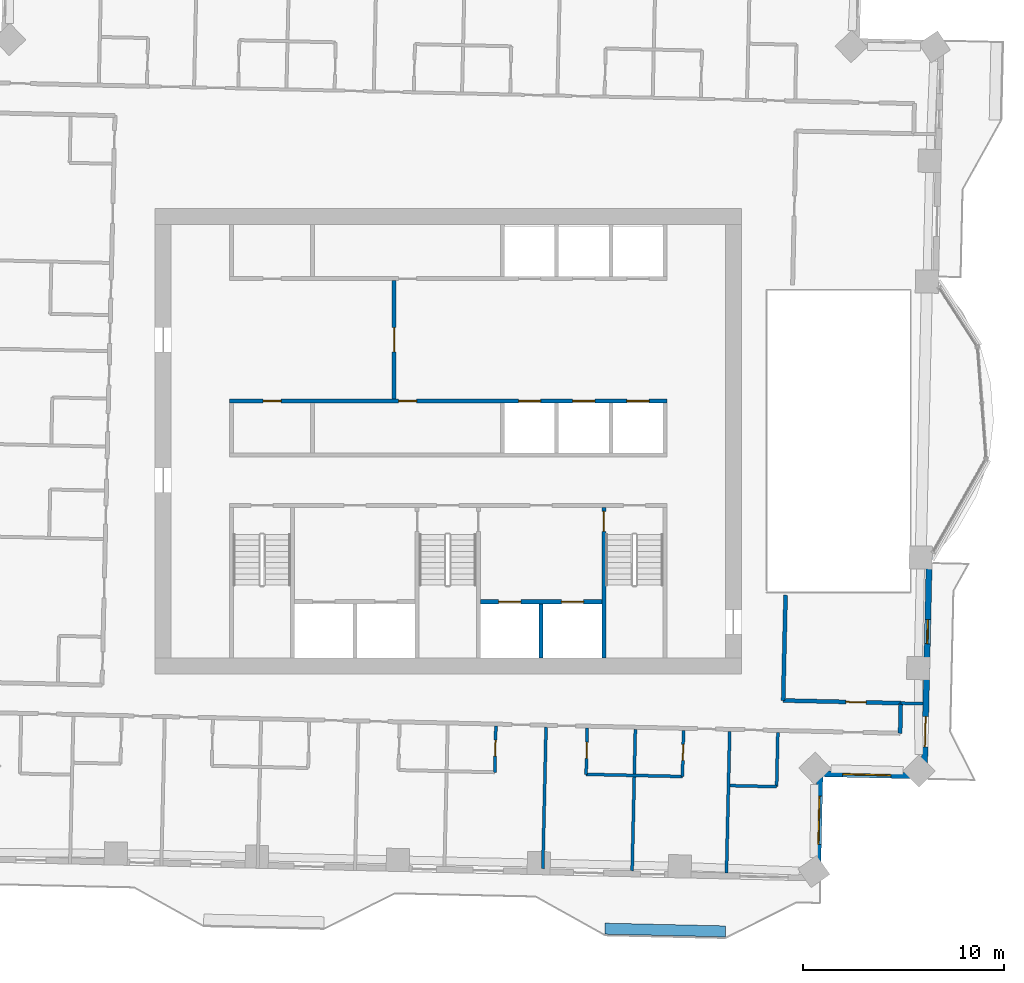
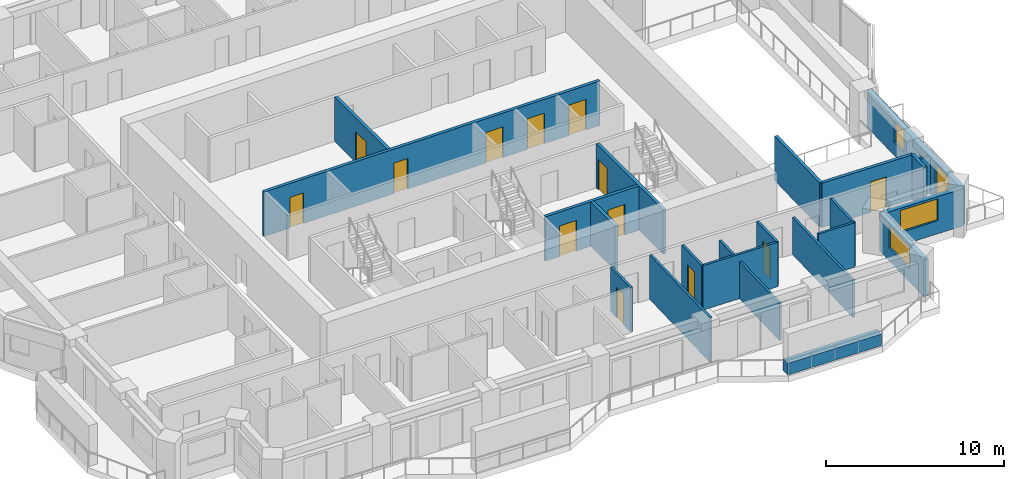
# One storey, part 9 of 16: 22 walls, 14 doors, 3 windows, 17 openings.
"""IFC4 building model written with IfcOpenShell, lengths in metres."""

from ifc_helpers import new_model, si_unit, direction, frame, frame_2d, origin, place, context, subcontext, project, spatial, rectangle, extrude, material, layer, layer_set, type_object, element, fill, save


model = new_model("IFC4")

# Units and contexts
model_context = context("Model", 3, precision=1e-05, world=origin(), true_north=direction((0.0, 1.0)))
body_context = subcontext(model_context, "Body", "Model", "MODEL_VIEW")
ifc_project = project(units=[si_unit("LENGTHUNIT", "METRE"), si_unit("AREAUNIT", "SQUARE_METRE"), si_unit("VOLUMEUNIT", "CUBIC_METRE"), si_unit("PLANEANGLEUNIT", "RADIAN"), si_unit("MASSUNIT", "GRAM", prefix="KILO")], contexts=[model_context])

# Site, building, storey
site_placement = place(None, origin())
site = spatial("IfcSite", under=ifc_project, at=site_placement, CompositionType="ELEMENT")
building_placement = place(site_placement, origin())
building = spatial("IfcBuilding", under=site, at=building_placement, Name="Mangrove Gate Tower", CompositionType="ELEMENT")
storey_placement = place(building_placement, frame((0.0, 0.0, 197.89990234375)))
storey = spatial("IfcBuildingStorey", under=building, at=storey_placement, Name="L50", CompositionType="ELEMENT", Elevation=197.89990234375)

# Wall, opening, door
ifc_material_1 = material(Name="Concrete C32/40", Category="concrete")
ifc_layer_1 = layer(ifc_material_1, 0.199951171875)
ifc_layer_set_1 = layer_set([ifc_layer_1], Name="Core lobby wall 200 C32/40")
wall_type_1 = type_object("IfcWallType", Name="Core lobby wall 200 C32/40", PredefinedType="STANDARD", material=ifc_layer_set_1)
wall_1_placement = place(storey_placement, frame((-2.699951171875, 2.10009765625, 0.0), z_axis=(0.0, 0.0, 1.0), x_axis=(0.0, 1.0, 0.0)))
wall_1 = element("IfcWall", 1, at=wall_1_placement, inside=storey, type_object=wall_type_1, Name="WALL-L50-CORE-31", PredefinedType="STANDARD", context=body_context, shape_type="SweptSolid", body=[
    extrude(rectangle(XDim=5.89990234375, YDim=0.199951171875, at=frame_2d((2.949951171875, 0.0))), origin(), (0.0, 0.0, 1.0), 3.050048828125),
])
opening_1_placement = place(wall_1_placement, frame((2.35009765625, 0.0, 0.0)))
opening_1 = element("IfcOpeningElement", 2, at=opening_1_placement, cuts=wall_1, Name="Opening FL12", PredefinedType="OPENING", context=body_context, shape_type="SweptSolid", body=[
    extrude(rectangle(XDim=1.199951171875, YDim=2.10009765625, at=frame_2d((0.60009765625, 1.050048828125))), frame((0.0, 0.10986328125, 0.0), z_axis=(0.0, -1.0, 0.0), x_axis=(1.0, 0.0, 0.0)), (0.0, 0.0, 1.0), 0.219970703125),
])
ifc_material_2 = material(Name="Fire-rated steel door set", Category="steel")
door_type_1 = type_object("IfcDoorType", Name="Lobby door FD60 1200x2100", OperationType="SINGLE_SWING_LEFT", PredefinedType="DOOR", material=ifc_material_2)
door_1_placement = place(opening_1_placement, origin())
door_1 = element("IfcDoor", 3, at=door_1_placement, inside=storey, type_object=door_type_1, Name="Lobby door lift lobby partition", OperationType="SINGLE_SWING_LEFT", OverallHeight=2.10009765625, OverallWidth=1.199951171875, PredefinedType="DOOR", context=body_context, shape_type="SweptSolid", body=[
    extrude(rectangle(XDim=1.199951171875, YDim=2.10009765625, at=frame_2d((0.60009765625, 1.050048828125))), frame((0.0, 0.02490234375, 0.0), z_axis=(0.0, -1.0, 0.0), x_axis=(1.0, 0.0, 0.0)), (0.0, 0.0, 1.0), 0.050048828125),
])
fill(opening_1, door_1)

# Wall, openings, doors
ifc_material_3 = material(Name="Concrete C60/75", Category="concrete")
ifc_layer_2 = layer(ifc_material_3, 0.199951171875)
ifc_layer_set_2 = layer_set([ifc_layer_2], Name="Core shaft wall 200 C60/75")
wall_type_2 = type_object("IfcWallType", Name="Core shaft wall 200 C60/75", PredefinedType="SHEAR", material=ifc_layer_set_2)
wall_2_placement = place(storey_placement, frame((-10.89990234375, 2.0, 0.0), z_axis=(0.0, 0.0, 1.0), x_axis=(1.0, 0.0, 0.0)))
wall_2 = element("IfcWall", 4, at=wall_2_placement, inside=storey, type_object=wall_type_2, Name="WALL-L50-CORE-7", PredefinedType="SHEAR", context=body_context, shape_type="SweptSolid", body=[
    extrude(rectangle(XDim=21.7998046875, YDim=0.199951171875, at=frame_2d((10.89990234375, 0.0))), origin(), (0.0, 0.0, 1.0), 3.050048828125),
])
opening_2_placement = place(wall_2_placement, frame((14.39990234375, 0.0, 0.0)))
opening_2 = element("IfcOpeningElement", 5, at=opening_2_placement, cuts=wall_2, Name="Opening LD", PredefinedType="OPENING", context=body_context, shape_type="SweptSolid", body=[
    extrude(rectangle(XDim=1.10009765625, YDim=2.10009765625, at=frame_2d((0.550048828125, 1.050048828125))), frame((0.0, 0.10986328125, 0.0), z_axis=(0.0, -1.0, 0.0), x_axis=(1.0, 0.0, 0.0)), (0.0, 0.0, 1.0), 0.219970703125),
])
opening_3_placement = place(wall_2_placement, frame((17.10009765625, 0.0, 0.0)))
opening_3 = element("IfcOpeningElement", 6, at=opening_3_placement, cuts=wall_2, Name="Opening LD", PredefinedType="OPENING", context=body_context, shape_type="SweptSolid", body=[
    extrude(rectangle(XDim=1.10009765625, YDim=2.10009765625, at=frame_2d((0.550048828125, 1.050048828125))), frame((0.0, 0.10986328125, 0.0), z_axis=(0.0, -1.0, 0.0), x_axis=(1.0, 0.0, 0.0)), (0.0, 0.0, 1.0), 0.219970703125),
])
opening_4_placement = place(wall_2_placement, frame((19.800048828125, 0.0, 0.0)))
opening_4 = element("IfcOpeningElement", 7, at=opening_4_placement, cuts=wall_2, Name="Opening LD", PredefinedType="OPENING", context=body_context, shape_type="SweptSolid", body=[
    extrude(rectangle(XDim=1.10009765625, YDim=2.10009765625, at=frame_2d((0.550048828125, 1.050048828125))), frame((0.0, 0.10986328125, 0.0), z_axis=(0.0, -1.0, 0.0), x_axis=(1.0, 0.0, 0.0)), (0.0, 0.0, 1.0), 0.219970703125),
])
opening_5_placement = place(wall_2_placement, frame((1.675048828125, 0.0, 0.0)))
opening_5 = element("IfcOpeningElement", 8, at=opening_5_placement, cuts=wall_2, Name="Opening KD", PredefinedType="OPENING", context=body_context, shape_type="SweptSolid", body=[
    extrude(rectangle(XDim=0.89990234375, YDim=2.10009765625, at=frame_2d((0.449951171875, 1.050048828125))), frame((0.0, 0.10986328125, 0.0), z_axis=(0.0, -1.0, 0.0), x_axis=(1.0, 0.0, 0.0)), (0.0, 0.0, 1.0), 0.219970703125),
])
opening_6_placement = place(wall_2_placement, frame((8.425048828125, 0.0, 0.0)))
opening_6 = element("IfcOpeningElement", 9, at=opening_6_placement, cuts=wall_2, Name="Opening RD", PredefinedType="OPENING", context=body_context, shape_type="SweptSolid", body=[
    extrude(rectangle(XDim=0.89990234375, YDim=2.10009765625, at=frame_2d((0.449951171875, 1.050048828125))), frame((0.0, 0.10986328125, 0.0), z_axis=(0.0, -1.0, 0.0), x_axis=(1.0, 0.0, 0.0)), (0.0, 0.0, 1.0), 0.219970703125),
])
ifc_material_4 = material(Name="Fire-rated steel door set", Category="steel")
door_type_2 = type_object("IfcDoorType", Name="Core room door FD30S 900x2100", OperationType="SINGLE_SWING_RIGHT", PredefinedType="DOOR", material=ifc_material_4)
door_2_placement = place(opening_5_placement, origin())
door_2 = element("IfcDoor", 10, at=door_2_placement, inside=storey, type_object=door_type_2, Name="Core room door Refuse store", OperationType="SINGLE_SWING_RIGHT", OverallHeight=2.10009765625, OverallWidth=0.89990234375, PredefinedType="DOOR", context=body_context, shape_type="SweptSolid", body=[
    extrude(rectangle(XDim=0.89990234375, YDim=2.10009765625, at=frame_2d((0.449951171875, 1.050048828125))), frame((0.0, 0.02490234375, 0.0), z_axis=(0.0, -1.0, 0.0), x_axis=(1.0, 0.0, 0.0)), (0.0, 0.0, 1.0), 0.050048828125),
])
fill(opening_5, door_2)
ifc_material_5 = material(Name="Stainless steel 316", Category="steel")
door_type_3 = type_object("IfcDoorType", Name="Lift landing door 1100x2100", OperationType="SLIDING_TO_LEFT", PredefinedType="DOOR", material=ifc_material_5)
door_3_placement = place(opening_2_placement, origin())
door_3 = element("IfcDoor", 11, at=door_3_placement, inside=storey, type_object=door_type_3, Name="Landing door LD M01", OperationType="SLIDING_TO_LEFT", OverallHeight=2.10009765625, OverallWidth=1.10009765625, PredefinedType="DOOR", context=body_context, shape_type="SweptSolid", body=[
    extrude(rectangle(XDim=1.10009765625, YDim=2.10009765625, at=frame_2d((0.550048828125, 1.050048828125))), frame((0.0, 0.02490234375, 0.0), z_axis=(0.0, -1.0, 0.0), x_axis=(1.0, 0.0, 0.0)), (0.0, 0.0, 1.0), 0.050048828125),
])
fill(opening_2, door_3)
door_4_placement = place(opening_3_placement, origin())
door_4 = element("IfcDoor", 12, at=door_4_placement, inside=storey, type_object=door_type_3, Name="Landing door LD M02", OperationType="SLIDING_TO_LEFT", OverallHeight=2.10009765625, OverallWidth=1.10009765625, PredefinedType="DOOR", context=body_context, shape_type="SweptSolid", body=[
    extrude(rectangle(XDim=1.10009765625, YDim=2.10009765625, at=frame_2d((0.550048828125, 1.050048828125))), frame((0.0, 0.02490234375, 0.0), z_axis=(0.0, -1.0, 0.0), x_axis=(1.0, 0.0, 0.0)), (0.0, 0.0, 1.0), 0.050048828125),
])
fill(opening_3, door_4)
door_5_placement = place(opening_4_placement, origin())
door_5 = element("IfcDoor", 13, at=door_5_placement, inside=storey, type_object=door_type_3, Name="Landing door LD M03", OperationType="SLIDING_TO_LEFT", OverallHeight=2.10009765625, OverallWidth=1.10009765625, PredefinedType="DOOR", context=body_context, shape_type="SweptSolid", body=[
    extrude(rectangle(XDim=1.10009765625, YDim=2.10009765625, at=frame_2d((0.550048828125, 1.050048828125))), frame((0.0, 0.02490234375, 0.0), z_axis=(0.0, -1.0, 0.0), x_axis=(1.0, 0.0, 0.0)), (0.0, 0.0, 1.0), 0.050048828125),
])
fill(opening_4, door_5)
ifc_material_6 = material(Name="Fire-rated steel door set", Category="steel")
door_type_4 = type_object("IfcDoorType", Name="Riser door FD30S 900x2100", OperationType="SINGLE_SWING_LEFT", PredefinedType="DOOR", material=ifc_material_6)
door_6_placement = place(opening_6_placement, origin())
door_6 = element("IfcDoor", 14, at=door_6_placement, inside=storey, type_object=door_type_4, Name="Riser door Electrical room", OperationType="SINGLE_SWING_LEFT", OverallHeight=2.10009765625, OverallWidth=0.89990234375, PredefinedType="DOOR", context=body_context, shape_type="SweptSolid", body=[
    extrude(rectangle(XDim=0.89990234375, YDim=2.10009765625, at=frame_2d((0.449951171875, 1.050048828125))), frame((0.0, 0.02490234375, 0.0), z_axis=(0.0, -1.0, 0.0), x_axis=(1.0, 0.0, 0.0)), (0.0, 0.0, 1.0), 0.050048828125),
])
fill(opening_6, door_6)

wall_3_placement = place(storey_placement, frame((1.60009765625, -8.0, 0.0), z_axis=(0.0, 0.0, 1.0), x_axis=(1.0, 0.0, 0.0)))
wall_3 = element("IfcWall", 15, at=wall_3_placement, inside=storey, type_object=wall_type_2, Name="WALL-L50-CORE-17", PredefinedType="SHEAR", context=body_context, shape_type="SweptSolid", body=[
    extrude(rectangle(XDim=6.0498046875, YDim=0.199951171875, at=frame_2d((3.02490234375, 0.0))), origin(), (0.0, 0.0, 1.0), 3.050048828125),
])
opening_7_placement = place(wall_3_placement, frame((0.91259765625, 0.0, 0.0)))
opening_7 = element("IfcOpeningElement", 16, at=opening_7_placement, cuts=wall_3, Name="Opening LD", PredefinedType="OPENING", context=body_context, shape_type="SweptSolid", body=[
    extrude(rectangle(XDim=1.10009765625, YDim=2.10009765625, at=frame_2d((0.550048828125, 1.050048828125))), frame((0.0, 0.10986328125, 0.0), z_axis=(0.0, -1.0, 0.0), x_axis=(1.0, 0.0, 0.0)), (0.0, 0.0, 1.0), 0.219970703125),
])
opening_8_placement = place(wall_3_placement, frame((4.03759765625, 0.0, 0.0)))
opening_8 = element("IfcOpeningElement", 17, at=opening_8_placement, cuts=wall_3, Name="Opening LD", PredefinedType="OPENING", context=body_context, shape_type="SweptSolid", body=[
    extrude(rectangle(XDim=1.10009765625, YDim=2.10009765625, at=frame_2d((0.550048828125, 1.050048828125))), frame((0.0, 0.10986328125, 0.0), z_axis=(0.0, -1.0, 0.0), x_axis=(1.0, 0.0, 0.0)), (0.0, 0.0, 1.0), 0.219970703125),
])
door_7_placement = place(opening_7_placement, origin())
door_7 = element("IfcDoor", 18, at=door_7_placement, inside=storey, type_object=door_type_3, Name="Landing door LD FFL1", OperationType="SLIDING_TO_LEFT", OverallHeight=2.10009765625, OverallWidth=1.10009765625, PredefinedType="DOOR", context=body_context, shape_type="SweptSolid", body=[
    extrude(rectangle(XDim=1.10009765625, YDim=2.10009765625, at=frame_2d((0.550048828125, 1.050048828125))), frame((0.0, 0.02490234375, 0.0), z_axis=(0.0, -1.0, 0.0), x_axis=(1.0, 0.0, 0.0)), (0.0, 0.0, 1.0), 0.050048828125),
])
fill(opening_7, door_7)
door_8_placement = place(opening_8_placement, origin())
door_8 = element("IfcDoor", 19, at=door_8_placement, inside=storey, type_object=door_type_3, Name="Landing door LD FFL2", OperationType="SLIDING_TO_LEFT", OverallHeight=2.10009765625, OverallWidth=1.10009765625, PredefinedType="DOOR", context=body_context, shape_type="SweptSolid", body=[
    extrude(rectangle(XDim=1.10009765625, YDim=2.10009765625, at=frame_2d((0.550048828125, 1.050048828125))), frame((0.0, 0.02490234375, 0.0), z_axis=(0.0, -1.0, 0.0), x_axis=(1.0, 0.0, 0.0)), (0.0, 0.0, 1.0), 0.050048828125),
])
fill(opening_8, door_8)

# Wall
wall_4_placement = place(storey_placement, frame((4.625, -10.800048828125, 0.0), z_axis=(0.0, 0.0, 1.0), x_axis=(0.0, 1.0, 0.0)))
element("IfcWall", 20, at=wall_4_placement, inside=storey, type_object=wall_type_2, Name="WALL-L50-CORE-18", PredefinedType="SHEAR", context=body_context, shape_type="SweptSolid", body=[
    extrude(rectangle(XDim=2.699951171875, YDim=0.199951171875, at=frame_2d((1.35009765625, 0.0))), origin(), (0.0, 0.0, 1.0), 3.050048828125),
])

# Wall, opening, door
ifc_material_7 = material(Name="Concrete C60/75", Category="concrete")
ifc_layer_3 = layer(ifc_material_7, 0.199951171875)
ifc_layer_set_3 = layer_set([ifc_layer_3], Name="Core stair wall 200 C60/75")
wall_type_3 = type_object("IfcWallType", Name="Core stair wall 200 C60/75", PredefinedType="SHEAR", material=ifc_layer_set_3)
wall_5_placement = place(storey_placement, frame((7.75, -10.800048828125, 0.0), z_axis=(0.0, 0.0, 1.0), x_axis=(0.0, 1.0, 0.0)))
wall_5 = element("IfcWall", 21, at=wall_5_placement, inside=storey, type_object=wall_type_3, Name="WALL-L50-CORE-13", PredefinedType="SHEAR", context=body_context, shape_type="SweptSolid", body=[
    extrude(rectangle(XDim=7.5, YDim=0.199951171875, at=frame_2d((3.75, 0.0))), origin(), (0.0, 0.0, 1.0), 3.050048828125),
])
opening_9_placement = place(wall_5_placement, frame((6.300048828125, 0.0, 0.0)))
opening_9 = element("IfcOpeningElement", 22, at=opening_9_placement, cuts=wall_5, Name="Opening STD10", PredefinedType="OPENING", context=body_context, shape_type="SweptSolid", body=[
    extrude(rectangle(XDim=1.0, YDim=2.10009765625, at=frame_2d((0.5, 1.050048828125))), frame((0.0, 0.10986328125, 0.0), z_axis=(0.0, -1.0, 0.0), x_axis=(1.0, 0.0, 0.0)), (0.0, 0.0, 1.0), 0.219970703125),
])
ifc_material_8 = material(Name="Fire-rated steel door set", Category="steel")
door_type_5 = type_object("IfcDoorType", Name="Stair door FD60 1000x2100", OperationType="SINGLE_SWING_RIGHT", PredefinedType="DOOR", material=ifc_material_8)
door_9_placement = place(opening_9_placement, origin())
door_9 = element("IfcDoor", 23, at=door_9_placement, inside=storey, type_object=door_type_5, Name="Stair door Stair 3 from fire-fighting lobby", OperationType="SINGLE_SWING_RIGHT", OverallHeight=2.10009765625, OverallWidth=1.0, PredefinedType="DOOR", context=body_context, shape_type="SweptSolid", body=[
    extrude(rectangle(XDim=1.0, YDim=2.10009765625, at=frame_2d((0.5, 1.050048828125))), frame((0.0, 0.02490234375, 0.0), z_axis=(0.0, -1.0, 0.0), x_axis=(1.0, 0.0, 0.0)), (0.0, 0.0, 1.0), 0.050048828125),
])
fill(opening_9, door_9)

# Wall
ifc_material_9 = material(Name="Gypsum board on steel stud, EI 60", Category="steel")
ifc_layer_4 = layer(ifc_material_9, 0.199951171875)
ifc_layer_set_4 = layer_set([ifc_layer_4], Name="Corridor wall EI 60")
wall_type_4 = type_object("IfcWallType", Name="Corridor wall EI 60", PredefinedType="PARTITIONING", material=ifc_layer_set_4)
wall_6_placement = place(storey_placement, frame((22.509033203125, -14.551025390625, 0.0), z_axis=(0.0, 0.0, 1.0), x_axis=(0.022632637625, 0.99974384905, 0.0)))
element("IfcWall", 24, at=wall_6_placement, inside=storey, type_object=wall_type_4, Name="WALL-L50-026", PredefinedType="PARTITIONING", context=body_context, shape_type="SweptSolid", body=[
    extrude(rectangle(XDim=1.49951171875, YDim=0.199951171875, at=frame_2d((0.749755859375, 0.0))), origin(), (0.0, 0.0, 1.0), 3.050048828125),
])

# Wall, opening, door
wall_7_placement = place(storey_placement, frame((16.678955078125, -12.91796875, 0.0), z_axis=(0.0, 0.0, 1.0), x_axis=(0.999739057042, -0.022843332181, 0.0)))
wall_7 = element("IfcWall", 25, at=wall_7_placement, inside=storey, type_object=wall_type_4, Name="WALL-L50-031", PredefinedType="PARTITIONING", context=body_context, shape_type="SweptSolid", body=[
    extrude(rectangle(XDim=5.867431640625, YDim=0.199951171875, at=frame_2d((2.93359375, 0.0))), origin(), (0.0, 0.0, 1.0), 3.050048828125),
])
opening_10_placement = place(wall_7_placement, frame((3.134033203125, 0.0, 0.0)))
opening_10 = element("IfcOpeningElement", 26, at=opening_10_placement, cuts=wall_7, Name="Opening AD", PredefinedType="OPENING", context=body_context, shape_type="SweptSolid", body=[
    extrude(rectangle(XDim=1.0, YDim=2.10009765625, at=frame_2d((0.5, 1.050048828125))), frame((0.0, 0.10986328125, 0.0), z_axis=(0.0, -1.0, 0.0), x_axis=(1.0, 0.0, 0.0)), (0.0, 0.0, 1.0), 0.219970703125),
])
ifc_material_10 = material(Name="Timber door leaf", Category="wood")
door_type_6 = type_object("IfcDoorType", Name="Amenity door 1000", OperationType="SINGLE_SWING_LEFT", PredefinedType="DOOR", material=ifc_material_10)
door_10_placement = place(opening_10_placement, origin())
door_10 = element("IfcDoor", 27, at=door_10_placement, inside=storey, type_object=door_type_6, Name="DOOR-L50-LNG-c3a", OperationType="SINGLE_SWING_LEFT", OverallHeight=2.10009765625, OverallWidth=1.0, PredefinedType="DOOR", context=body_context, shape_type="SweptSolid", body=[
    extrude(rectangle(XDim=1.0, YDim=2.10009765625, at=frame_2d((0.5, 1.050048828125))), frame((0.0, 0.02490234375, 0.0), z_axis=(0.0, -1.0, 0.0), x_axis=(1.0, 0.0, 0.0)), (0.0, 0.0, 1.0), 0.050048828125),
])
fill(opening_10, door_10)

# Wall
wall_8_placement = place(storey_placement, frame((16.68408203125, -12.9189453125, 0.0), z_axis=(0.0, 0.0, 1.0), x_axis=(0.022667483124, 0.999743059595, 0.0)))
element("IfcWall", 28, at=wall_8_placement, inside=storey, type_object=wall_type_4, Name="WALL-L50-032", PredefinedType="PARTITIONING", context=body_context, shape_type="SweptSolid", body=[
    extrude(rectangle(XDim=5.245361328125, YDim=0.199951171875, at=frame_2d((2.62255859375, 0.0))), origin(), (0.0, 0.0, 1.0), 3.050048828125),
])

# Wall, openings, door, window
ifc_material_11 = material(Name="Limestone", Category="masonry")
ifc_layer_5 = layer(ifc_material_11, 0.0400390625, Name="Limestone cladding")
ifc_material_12 = material(Name="Ventilated air gap")
ifc_layer_6 = layer(ifc_material_12, 0.0400390625, Name="Ventilated cavity")
ifc_material_13 = material(Name="Mineral wool insulation")
ifc_layer_7 = layer(ifc_material_13, 0.06005859375, Name="Insulation")
ifc_material_14 = material(Name="Breather membrane")
ifc_layer_8 = layer(ifc_material_14, 0.001953125, Name="Breather membrane")
ifc_material_15 = material(Name="Concrete C20/25 blockwork", Category="masonry")
ifc_layer_9 = layer(ifc_material_15, 0.14990234375, Name="Blockwork backing wall")
ifc_material_16 = material(Name="Gypsum plaster")
ifc_layer_10 = layer(ifc_material_16, 0.008056640625, Name="Internal plaster")
ifc_layer_set_5 = layer_set([ifc_layer_5, ifc_layer_6, ifc_layer_7, ifc_layer_8, ifc_layer_9, ifc_layer_10], Name="External wall 300 limestone cladding")
wall_type_5 = type_object("IfcWallType", Name="External wall 300 limestone cladding", PredefinedType="SOLIDWALL", material=ifc_layer_set_5)
wall_9_placement = place(storey_placement, frame((23.712890625, -16.678955078125, 0.0), z_axis=(0.0, 0.0, 1.0), x_axis=(0.02269451316, 0.999742446369, 0.0)))
wall_9 = element("IfcWall", 29, at=wall_9_placement, inside=storey, type_object=wall_type_5, Name="WALL-L50-E0", PredefinedType="SOLIDWALL", context=body_context, shape_type="SweptSolid", body=[
    extrude(rectangle(XDim=10.929931640625, YDim=0.300048828125, at=frame_2d((5.46484375, 0.0))), origin(), (0.0, 0.0, 1.0), 2.550048828125),
])
opening_11_placement = place(wall_9_placement, frame((1.4541015625, 0.0, 0.0)))
opening_11 = element("IfcOpeningElement", 30, at=opening_11_placement, cuts=wall_9, Name="Opening BD1", PredefinedType="OPENING", context=body_context, shape_type="SweptSolid", body=[
    extrude(rectangle(XDim=1.5, YDim=2.39990234375, at=frame_2d((0.75, 1.199951171875))), frame((0.0, 0.159912109375, 0.0), z_axis=(0.0, -1.0, 0.0), x_axis=(1.0, 0.0, 0.0)), (0.0, 0.0, 1.0), 0.320068359375),
])
opening_12_placement = place(wall_9_placement, frame((6.589111328125, 0.0, 0.89990234375)))
opening_12 = element("IfcOpeningElement", 31, at=opening_12_placement, cuts=wall_9, Name="Opening W1", PredefinedType="OPENING", context=body_context, shape_type="SweptSolid", body=[
    extrude(rectangle(XDim=1.199951171875, YDim=1.5, at=frame_2d((0.60009765625, 0.75))), frame((0.0, 0.159912109375, 0.0), z_axis=(0.0, -1.0, 0.0), x_axis=(1.0, 0.0, 0.0)), (0.0, 0.0, 1.0), 0.320068359375),
])
ifc_material_17 = material(Name="Aluminium frame with laminated clear glass", Category="aluminium")
door_type_7 = type_object("IfcDoorType", Name="Balcony sliding door 1500x2400", OperationType="SLIDING_TO_LEFT", PredefinedType="DOOR", material=ifc_material_17)
door_11_placement = place(opening_11_placement, origin())
door_11 = element("IfcDoor", 32, at=door_11_placement, inside=storey, type_object=door_type_7, Name="DOOR-L50-E0-1", OperationType="SLIDING_TO_LEFT", OverallHeight=2.39990234375, OverallWidth=1.5, PredefinedType="DOOR", context=body_context, shape_type="SweptSolid", body=[
    extrude(rectangle(XDim=1.5, YDim=2.39990234375, at=frame_2d((0.75, 1.199951171875))), frame((0.0, 0.02490234375, 0.0), z_axis=(0.0, -1.0, 0.0), x_axis=(1.0, 0.0, 0.0)), (0.0, 0.0, 1.0), 0.050048828125),
])
fill(opening_11, door_11)
ifc_material_18 = material(Name="Aluminium frame with double-glazed low-e glass", Category="aluminium")
window_type_1 = type_object("IfcWindowType", Name="Side lite 1200x1500", PartitioningType="SINGLE_PANEL", PredefinedType="WINDOW", material=ifc_material_18)
window_1_placement = place(opening_12_placement, origin())
window_1 = element("IfcWindow", 33, at=window_1_placement, inside=storey, type_object=window_type_1, Name="WIN-L50-E0-2", OverallHeight=1.5, OverallWidth=1.199951171875, PartitioningType="SINGLE_PANEL", PredefinedType="WINDOW", context=body_context, shape_type="SweptSolid", body=[
    extrude(rectangle(XDim=1.199951171875, YDim=1.5, at=frame_2d((0.60009765625, 0.75))), frame((0.0, 0.030029296875, 0.0), z_axis=(0.0, -1.0, 0.0), x_axis=(1.0, 0.0, 0.0)), (0.0, 0.0, 1.0), 0.06005859375),
])
fill(opening_12, window_1)

# Wall, opening, window
wall_10_placement = place(storey_placement, frame((18.39599609375, -21.760009765625, 0.0), z_axis=(0.0, 0.0, 1.0), x_axis=(0.022675548694, 0.99974287669, 0.0)))
wall_10 = element("IfcWall", 34, at=wall_10_placement, inside=storey, type_object=wall_type_5, Name="WALL-L50-E14", PredefinedType="SOLIDWALL", context=body_context, shape_type="SweptSolid", body=[
    extrude(rectangle(XDim=5.2001953125, YDim=0.300048828125, at=frame_2d((2.60009765625, 0.0))), origin(), (0.0, 0.0, 1.0), 2.550048828125),
])
opening_13_placement = place(wall_10_placement, frame((1.679931640625, 0.0, 0.89990234375)))
opening_13 = element("IfcOpeningElement", 35, at=opening_13_placement, cuts=wall_10, Name="Opening W2", PredefinedType="OPENING", context=body_context, shape_type="SweptSolid", body=[
    extrude(rectangle(XDim=2.39990234375, YDim=1.5, at=frame_2d((1.199951171875, 0.75))), frame((0.0, 0.159912109375, 0.0), z_axis=(0.0, -1.0, 0.0), x_axis=(1.0, 0.0, 0.0)), (0.0, 0.0, 1.0), 0.320068359375),
])
ifc_material_19 = material(Name="Aluminium frame with double-glazed low-e glass", Category="aluminium")
window_type_2 = type_object("IfcWindowType", Name="Corner room window 2400x1500", PartitioningType="DOUBLE_PANEL_VERTICAL", PredefinedType="WINDOW", material=ifc_material_19)
window_2_placement = place(opening_13_placement, origin())
window_2 = element("IfcWindow", 36, at=window_2_placement, inside=storey, type_object=window_type_2, Name="WIN-L50-E14-1", OverallHeight=1.5, OverallWidth=2.39990234375, PartitioningType="DOUBLE_PANEL_VERTICAL", PredefinedType="WINDOW", context=body_context, shape_type="SweptSolid", body=[
    extrude(rectangle(XDim=2.39990234375, YDim=1.5, at=frame_2d((1.199951171875, 0.75))), frame((0.0, 0.030029296875, 0.0), z_axis=(0.0, -1.0, 0.0), x_axis=(1.0, 0.0, 0.0)), (0.0, 0.0, 1.0), 0.06005859375),
])
fill(opening_13, window_2)

wall_11_placement = place(storey_placement, frame((18.513916015625, -16.56103515625, 0.0), z_axis=(0.0, 0.0, 1.0), x_axis=(0.99974287669, -0.022675548694, 0.0)))
wall_11 = element("IfcWall", 37, at=wall_11_placement, inside=storey, type_object=wall_type_5, Name="WALL-L50-S15", PredefinedType="SOLIDWALL", context=body_context, shape_type="SweptSolid", body=[
    extrude(rectangle(XDim=5.2001953125, YDim=0.300048828125, at=frame_2d((2.60009765625, 0.0))), origin(), (0.0, 0.0, 1.0), 2.550048828125),
])
opening_14_placement = place(wall_11_placement, frame((1.137939453125, 0.0, 0.89990234375)))
opening_14 = element("IfcOpeningElement", 38, at=opening_14_placement, cuts=wall_11, Name="Opening W2", PredefinedType="OPENING", context=body_context, shape_type="SweptSolid", body=[
    extrude(rectangle(XDim=2.39990234375, YDim=1.5, at=frame_2d((1.199951171875, 0.75))), frame((0.0, 0.159912109375, 0.0), z_axis=(0.0, -1.0, 0.0), x_axis=(1.0, 0.0, 0.0)), (0.0, 0.0, 1.0), 0.320068359375),
])
window_3_placement = place(opening_14_placement, origin())
window_3 = element("IfcWindow", 39, at=window_3_placement, inside=storey, type_object=window_type_2, Name="WIN-L50-S15-1", OverallHeight=1.5, OverallWidth=2.39990234375, PartitioningType="DOUBLE_PANEL_VERTICAL", PredefinedType="WINDOW", context=body_context, shape_type="SweptSolid", body=[
    extrude(rectangle(XDim=2.39990234375, YDim=1.5, at=frame_2d((1.199951171875, 0.75))), frame((0.0, 0.030029296875, 0.0), z_axis=(0.0, -1.0, 0.0), x_axis=(1.0, 0.0, 0.0)), (0.0, 0.0, 1.0), 0.06005859375),
])
fill(opening_14, window_3)

# Walls
ifc_material_20 = material(Name="Gypsum board on steel stud, EI 60", Category="steel")
ifc_layer_11 = layer(ifc_material_20, 0.14990234375)
ifc_layer_set_6 = layer_set([ifc_layer_11], Name="Party wall 150 EI 60")
wall_type_6 = type_object("IfcWallType", Name="Party wall 150 EI 60", PredefinedType="PARTITIONING", material=ifc_layer_set_6)
wall_12_placement = place(storey_placement, frame((4.7109375, -21.299072265625, 0.0), z_axis=(0.0, 0.0, 1.0), x_axis=(0.022717472124, 0.999741924929, 0.0)))
element("IfcWall", 40, at=wall_12_placement, inside=storey, type_object=wall_type_6, Name="WALL-L50-006", PredefinedType="PARTITIONING", context=body_context, shape_type="SweptSolid", body=[
    extrude(rectangle(XDim=7.0498046875, YDim=0.14990234375, at=frame_2d((3.52490234375, 0.0))), origin(), (0.0, 0.0, 1.0), 3.050048828125),
])
wall_13_placement = place(storey_placement, frame((9.159912109375, -21.39990234375, 0.0), z_axis=(0.0, 0.0, 1.0), x_axis=(0.022718258661, 0.999741907056, 0.0)))
element("IfcWall", 41, at=wall_13_placement, inside=storey, type_object=wall_type_6, Name="WALL-L50-007", PredefinedType="PARTITIONING", context=body_context, shape_type="SweptSolid", body=[
    extrude(rectangle(XDim=7.049560546875, YDim=0.14990234375, at=frame_2d((3.52490234375, 0.0))), origin(), (0.0, 0.0, 1.0), 2.550048828125),
])
wall_14_placement = place(storey_placement, frame((13.85888671875, -21.507080078125, 0.0), z_axis=(0.0, 0.0, 1.0), x_axis=(0.022714326521, 0.999741996402, 0.0)))
element("IfcWall", 42, at=wall_14_placement, inside=storey, type_object=wall_type_6, Name="WALL-L50-008", PredefinedType="PARTITIONING", context=body_context, shape_type="SweptSolid", body=[
    extrude(rectangle(XDim=7.05078125, YDim=0.14990234375, at=frame_2d((3.525390625, 0.0))), origin(), (0.0, 0.0, 1.0), 2.550048828125),
])
wall_15_placement = place(storey_placement, frame((14.030029296875, -17.158935546875, 0.0), z_axis=(0.0, 0.0, 1.0), x_axis=(0.999740478815, -0.022781023197, 0.0)))
element("IfcWall", 43, at=wall_15_placement, inside=storey, type_object=wall_type_6, Name="WALL-L50-011", PredefinedType="PARTITIONING", context=body_context, shape_type="SweptSolid", body=[
    extrude(rectangle(XDim=2.325439453125, YDim=0.14990234375, at=frame_2d((1.16259765625, 0.0))), origin(), (0.0, 0.0, 1.0), 3.050048828125),
])
wall_16_placement = place(storey_placement, frame((16.35693359375, -17.2119140625, 0.0), z_axis=(0.0, 0.0, 1.0), x_axis=(0.02260842146, 0.999744396973, 0.0)))
element("IfcWall", 44, at=wall_16_placement, inside=storey, type_object=wall_type_6, Name="WALL-L50-012", PredefinedType="PARTITIONING", context=body_context, shape_type="SweptSolid", body=[
    extrude(rectangle(XDim=2.69970703125, YDim=0.14990234375, at=frame_2d((1.349853515625, 0.0))), origin(), (0.0, 0.0, 1.0), 3.050048828125),
])

# Wall, opening, door
wall_17_placement = place(storey_placement, frame((2.319091796875, -16.493896484375, 0.0), z_axis=(0.0, 0.0, 1.0), x_axis=(0.023029983665, 0.999734774754, 0.0)))
wall_17 = element("IfcWall", 45, at=wall_17_placement, inside=storey, type_object=wall_type_6, Name="WALL-L50-020", PredefinedType="PARTITIONING", context=body_context, shape_type="SweptSolid", body=[
    extrude(rectangle(XDim=2.30029296875, YDim=0.14990234375, at=frame_2d((1.150146484375, 0.0))), origin(), (0.0, 0.0, 1.0), 3.050048828125),
])
opening_15_placement = place(wall_17_placement, frame((0.800048828125, 0.0, 0.0)))
opening_15 = element("IfcOpeningElement", 46, at=opening_15_placement, cuts=wall_17, Name="Opening ED", PredefinedType="OPENING", context=body_context, shape_type="SweptSolid", body=[
    extrude(rectangle(XDim=0.800048828125, YDim=2.10009765625, at=frame_2d((0.39990234375, 1.050048828125))), frame((0.0, 0.0849609375, 0.0), z_axis=(0.0, -1.0, 0.0), x_axis=(1.0, 0.0, 0.0)), (0.0, 0.0, 1.0), 0.169921875),
])
ifc_material_21 = material(Name="Timber door leaf", Category="wood")
door_type_8 = type_object("IfcDoorType", Name="En-suite door 800", OperationType="SINGLE_SWING_LEFT", PredefinedType="DOOR", material=ifc_material_21)
door_12_placement = place(opening_15_placement, origin())
door_12 = element("IfcDoor", 47, at=door_12_placement, inside=storey, type_object=door_type_8, Name="DOOR-L50-ENS-c205", OperationType="SINGLE_SWING_LEFT", OverallHeight=2.10009765625, OverallWidth=0.800048828125, PredefinedType="DOOR", context=body_context, shape_type="SweptSolid", body=[
    extrude(rectangle(XDim=0.800048828125, YDim=2.10009765625, at=frame_2d((0.39990234375, 1.050048828125))), frame((0.0, 0.02490234375, 0.0), z_axis=(0.0, -1.0, 0.0), x_axis=(1.0, 0.0, 0.0)), (0.0, 0.0, 1.0), 0.050048828125),
])
fill(opening_15, door_12)

# Wall
wall_18_placement = place(storey_placement, frame((6.865966796875, -16.596923828125, 0.0), z_axis=(0.0, 0.0, 1.0), x_axis=(0.99974154664, -0.022734113616, 0.0)))
element("IfcWall", 48, at=wall_18_placement, inside=storey, type_object=wall_type_6, Name="WALL-L50-021", PredefinedType="PARTITIONING", context=body_context, shape_type="SweptSolid", body=[
    extrude(rectangle(XDim=4.80029296875, YDim=0.14990234375, at=frame_2d((2.400146484375, 0.0))), origin(), (0.0, 0.0, 1.0), 3.050048828125),
])

# Wall, opening, door
wall_19_placement = place(storey_placement, frame((6.867919921875, -16.596923828125, 0.0), z_axis=(0.0, 0.0, 1.0), x_axis=(0.022605686808, 0.999744458811, 0.0)))
wall_19 = element("IfcWall", 49, at=wall_19_placement, inside=storey, type_object=wall_type_6, Name="WALL-L50-022", PredefinedType="PARTITIONING", context=body_context, shape_type="SweptSolid", body=[
    extrude(rectangle(XDim=2.30029296875, YDim=0.14990234375, at=frame_2d((1.150146484375, 0.0))), origin(), (0.0, 0.0, 1.0), 3.050048828125),
])
opening_16_placement = place(wall_19_placement, frame((0.800048828125, 0.0, 0.0)))
opening_16 = element("IfcOpeningElement", 50, at=opening_16_placement, cuts=wall_19, Name="Opening ED", PredefinedType="OPENING", context=body_context, shape_type="SweptSolid", body=[
    extrude(rectangle(XDim=0.800048828125, YDim=2.10009765625, at=frame_2d((0.39990234375, 1.050048828125))), frame((0.0, 0.0849609375, 0.0), z_axis=(0.0, -1.0, 0.0), x_axis=(1.0, 0.0, 0.0)), (0.0, 0.0, 1.0), 0.169921875),
])
door_13_placement = place(opening_16_placement, origin())
door_13 = element("IfcDoor", 51, at=door_13_placement, inside=storey, type_object=door_type_8, Name="DOOR-L50-ENS-c206", OperationType="SINGLE_SWING_RIGHT", OverallHeight=2.10009765625, OverallWidth=0.800048828125, PredefinedType="DOOR", context=body_context, shape_type="SweptSolid", body=[
    extrude(rectangle(XDim=0.800048828125, YDim=2.10009765625, at=frame_2d((0.39990234375, 1.050048828125))), frame((0.0, 0.02490234375, 0.0), z_axis=(0.0, -1.0, 0.0), x_axis=(1.0, 0.0, 0.0)), (0.0, 0.0, 1.0), 0.050048828125),
])
fill(opening_16, door_13)

wall_20_placement = place(storey_placement, frame((11.6669921875, -16.7060546875, 0.0), z_axis=(0.0, 0.0, 1.0), x_axis=(0.022603288534, 0.999744513037, 0.0)))
wall_20 = element("IfcWall", 52, at=wall_20_placement, inside=storey, type_object=wall_type_6, Name="WALL-L50-023", PredefinedType="PARTITIONING", context=body_context, shape_type="SweptSolid", body=[
    extrude(rectangle(XDim=2.300537109375, YDim=0.14990234375, at=frame_2d((1.150390625, 0.0))), origin(), (0.0, 0.0, 1.0), 3.050048828125),
])
opening_17_placement = place(wall_20_placement, frame((0.800048828125, 0.0, 0.0)))
opening_17 = element("IfcOpeningElement", 53, at=opening_17_placement, cuts=wall_20, Name="Opening ED", PredefinedType="OPENING", context=body_context, shape_type="SweptSolid", body=[
    extrude(rectangle(XDim=0.800048828125, YDim=2.10009765625, at=frame_2d((0.39990234375, 1.050048828125))), frame((0.0, 0.0849609375, 0.0), z_axis=(0.0, -1.0, 0.0), x_axis=(1.0, 0.0, 0.0)), (0.0, 0.0, 1.0), 0.169921875),
])
door_14_placement = place(opening_17_placement, origin())
door_14 = element("IfcDoor", 54, at=door_14_placement, inside=storey, type_object=door_type_8, Name="DOOR-L50-ENS-c307", OperationType="SINGLE_SWING_LEFT", OverallHeight=2.10009765625, OverallWidth=0.800048828125, PredefinedType="DOOR", context=body_context, shape_type="SweptSolid", body=[
    extrude(rectangle(XDim=0.800048828125, YDim=2.10009765625, at=frame_2d((0.39990234375, 1.050048828125))), frame((0.0, 0.02490234375, 0.0), z_axis=(0.0, -1.0, 0.0), x_axis=(1.0, 0.0, 0.0)), (0.0, 0.0, 1.0), 0.050048828125),
])
fill(opening_17, door_14)

# Walls
wall_21_placement = place(storey_placement, frame((22.541015625, -13.051025390625, 0.0), z_axis=(0.0, 0.0, 1.0), x_axis=(0.999725373977, -0.023434517833, 0.0)))
element("IfcWall", 55, at=wall_21_placement, inside=storey, type_object=wall_type_6, Name="WALL-L50-033", PredefinedType="PARTITIONING", context=body_context, shape_type="SweptSolid", body=[
    extrude(rectangle(XDim=1.104248046875, YDim=0.14990234375, at=frame_2d((0.55224609375, 0.0))), origin(), (0.0, 0.0, 1.0), 2.550048828125),
])
ifc_material_22 = material(Name="Concrete C32/40", Category="concrete")
ifc_layer_12 = layer(ifc_material_22, 0.199951171875, Name="Planter trough wall")
ifc_material_23 = material(Name="Bituminous waterproofing membrane")
ifc_layer_13 = layer(ifc_material_23, 0.0048828125, Name="Waterproofing")
ifc_material_24 = material(Name="Drainage board and gravel")
ifc_layer_14 = layer(ifc_material_24, 0.044921875, Name="Drainage layer")
ifc_material_25 = material(Name="Planting soil")
ifc_layer_15 = layer(ifc_material_25, 0.300048828125, Name="Growing medium")
ifc_layer_set_7 = layer_set([ifc_layer_12, ifc_layer_13, ifc_layer_14, ifc_layer_15], Name="Planter wall 550 C32/40")
wall_type_7 = type_object("IfcWallType", Name="Planter wall 550 C32/40", PredefinedType="USERDEFINED", material=ifc_layer_set_7)
wall_22_placement = place(storey_placement, frame((7.81396484375, -24.284912109375, 0.0), z_axis=(0.0, 0.0, 1.0), x_axis=(0.999743094499, -0.022665943652, 0.0)))
element("IfcWall", 56, at=wall_22_placement, inside=storey, type_object=wall_type_7, Name="PLANTER L50 S1.1", ObjectType="PLANTER", PredefinedType="USERDEFINED", context=body_context, shape_type="SweptSolid", body=[
    extrude(rectangle(XDim=5.99951171875, YDim=0.550048828125, at=frame_2d((2.999755859375, 0.0))), origin(), (0.0, 0.0, 1.0), 0.800048828125),
])

save(model, "model.ifc")
